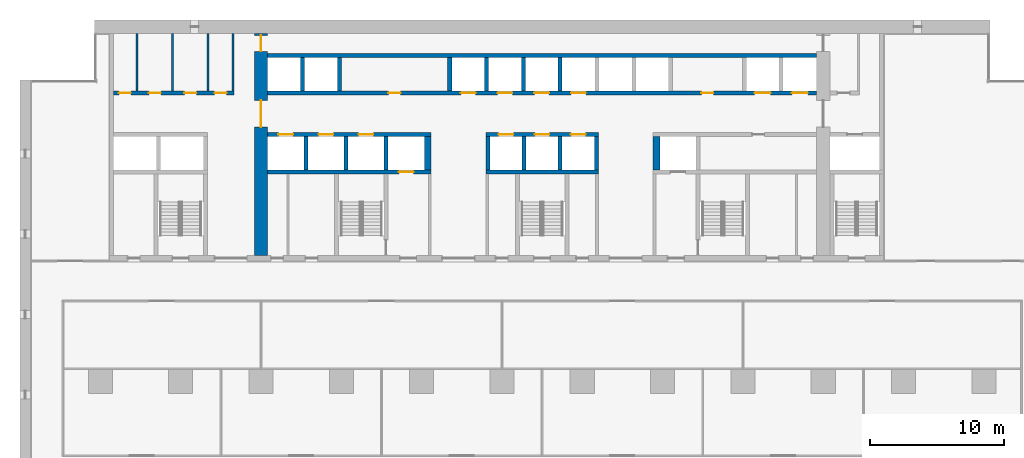
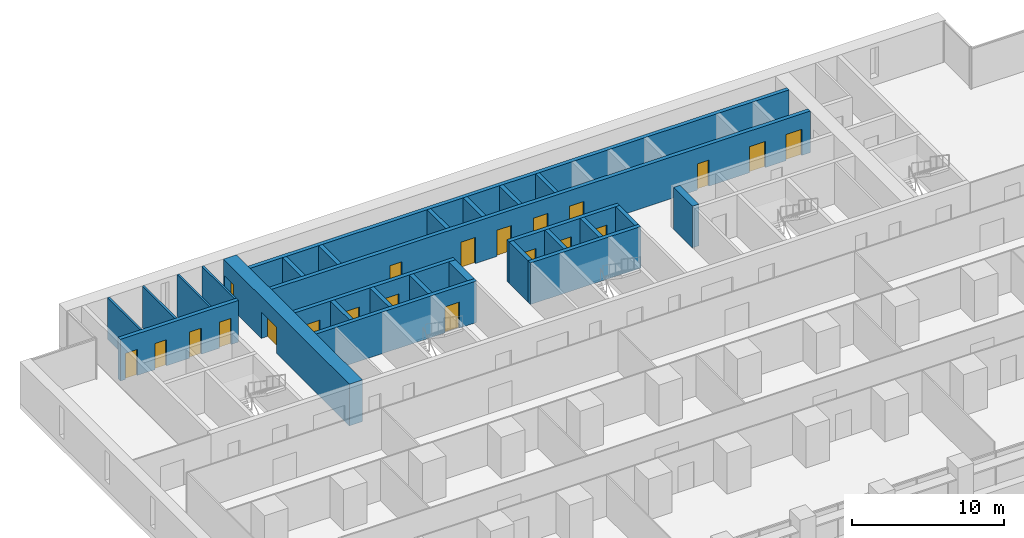
# One storey, part 11 of 18: 27 walls, 21 doors, 21 openings.
"""IFC4 building model written with IfcOpenShell, lengths in metres."""

from ifc_helpers import new_model, si_unit, direction, frame, frame_2d, origin, place, context, subcontext, project, spatial, rectangle, extrude, material, layer, layer_set, type_object, element, fill, save


model = new_model("IFC4")

# Units and contexts
model_context = context("Model", 3, precision=1e-05, world=origin(), true_north=direction((0.0, 1.0)))
body_context = subcontext(model_context, "Body", "Model", "MODEL_VIEW")
ifc_project = project(units=[si_unit("LENGTHUNIT", "METRE"), si_unit("AREAUNIT", "SQUARE_METRE"), si_unit("VOLUMEUNIT", "CUBIC_METRE"), si_unit("PLANEANGLEUNIT", "RADIAN"), si_unit("MASSUNIT", "GRAM", prefix="KILO")], contexts=[model_context])

# Site, building, storey
site_placement = place(None, origin())
site = spatial("IfcSite", under=ifc_project, at=site_placement, CompositionType="ELEMENT")
building_placement = place(site_placement, origin())
building = spatial("IfcBuilding", under=site, at=building_placement, Name="Calvaro Tower", CompositionType="ELEMENT")
storey_placement = place(building_placement, frame((0.0, 0.0, 30.0)))
storey = spatial("IfcBuildingStorey", under=building, at=storey_placement, Name="L06", CompositionType="ELEMENT", Elevation=30.0)

# Walls
ifc_material_1 = material(Name="Blockwork partition", Category="masonry")
ifc_layer_1 = layer(ifc_material_1, 0.14990234375)
ifc_layer_set_1 = layer_set([ifc_layer_1], Name="Blockwork partition")
wall_type_1 = type_object("IfcWallType", Name="Core partition 150 EI 60", PredefinedType="PARTITIONING", material=ifc_layer_set_1)
for number, where, z_axis, x_axis, name in (
    (1, (8.75, 40.699951171875, 0.0), (0.0, 0.0, 1.0), (0.0, 1.0, 0.0), "Core partition"),
    (2, (11.39990234375, 40.699951171875, 0.0), (0.0, 0.0, 1.0), (0.0, 1.0, 0.0), "Core partition"),
    (3, (14.050048828125, 40.699951171875, 0.0), (0.0, 0.0, 1.0), (0.0, 1.0, 0.0), "Core partition"),
):
    element("IfcWall", number, at=place(storey_placement, frame(where, z_axis=z_axis, x_axis=x_axis)), inside=storey, type_object=wall_type_1, Name=name, PredefinedType="PARTITIONING", context=body_context, shape_type="SweptSolid", body=[
        extrude(rectangle(XDim=4.300048828125, YDim=0.14990234375, at=frame_2d((2.14990234375, 0.0))), origin(), (0.0, 0.0, 1.0), 3.35009765625),
    ])
ifc_material_2 = material(Name="Blockwork partition", Category="masonry")
ifc_layer_2 = layer(ifc_material_2, 0.14990234375)
ifc_layer_set_2 = layer_set([ifc_layer_2], Name="Blockwork partition")
wall_type_2 = type_object("IfcWallType", Name="Core partition 150 REI 120", PredefinedType="PARTITIONING", material=ifc_layer_set_2)
wall_1_placement = place(storey_placement, frame((15.925048828125, 40.699951171875, 0.0), z_axis=(0.0, 0.0, 1.0), x_axis=(0.0, 1.0, 0.0)))
element("IfcWall", 4, at=wall_1_placement, inside=storey, type_object=wall_type_2, Name="Core partition", PredefinedType="PARTITIONING", context=body_context, shape_type="SweptSolid", body=[
    extrude(rectangle(XDim=4.300048828125, YDim=0.14990234375, at=frame_2d((2.14990234375, 0.0))), origin(), (0.0, 0.0, 1.0), 3.35009765625),
])

# Wall, openings, doors
ifc_material_3 = material(Name="Blockwork partition", Category="masonry")
ifc_layer_3 = layer(ifc_material_3, 0.300048828125)
ifc_layer_set_3 = layer_set([ifc_layer_3], Name="Blockwork partition")
wall_type_3 = type_object("IfcWallType", Name="Core partition 300 REI 120", PredefinedType="PARTITIONING", material=ifc_layer_set_3)
wall_2_placement = place(storey_placement, frame((7.0, 40.550048828125, 0.0), z_axis=(0.0, 0.0, 1.0), x_axis=(1.0, 0.0, 0.0)))
wall_2 = element("IfcWall", 5, at=wall_2_placement, inside=storey, type_object=wall_type_3, Name="Core partition", PredefinedType="PARTITIONING", context=body_context, shape_type="SweptSolid", body=[
    extrude(rectangle(XDim=9.0, YDim=0.300048828125, at=frame_2d((4.5, 0.0))), origin(), (0.0, 0.0, 1.0), 3.35009765625),
])
opening_1_placement = place(wall_2_placement, frame((0.387451171875, 0.0, 0.0)))
opening_1 = element("IfcOpeningElement", 6, at=opening_1_placement, cuts=wall_2, Name="Opening RD9C", PredefinedType="OPENING", context=body_context, shape_type="SweptSolid", body=[
    extrude(rectangle(XDim=0.89990234375, YDim=2.10009765625, at=frame_2d((0.449951171875, 1.050048828125))), frame((0.0, 0.159912109375, 0.0), z_axis=(0.0, -1.0, 0.0), x_axis=(1.0, 0.0, 0.0)), (0.0, 0.0, 1.0), 0.320068359375),
])
opening_2_placement = place(wall_2_placement, frame((2.625, 0.0, 0.0)))
opening_2 = element("IfcOpeningElement", 7, at=opening_2_placement, cuts=wall_2, Name="Opening RD9", PredefinedType="OPENING", context=body_context, shape_type="SweptSolid", body=[
    extrude(rectangle(XDim=0.89990234375, YDim=2.10009765625, at=frame_2d((0.449951171875, 1.050048828125))), frame((0.0, 0.159912109375, 0.0), z_axis=(0.0, -1.0, 0.0), x_axis=(1.0, 0.0, 0.0)), (0.0, 0.0, 1.0), 0.320068359375),
])
opening_3_placement = place(wall_2_placement, frame((5.27490234375, 0.0, 0.0)))
opening_3 = element("IfcOpeningElement", 8, at=opening_3_placement, cuts=wall_2, Name="Opening RD9", PredefinedType="OPENING", context=body_context, shape_type="SweptSolid", body=[
    extrude(rectangle(XDim=0.89990234375, YDim=2.10009765625, at=frame_2d((0.449951171875, 1.050048828125))), frame((0.0, 0.159912109375, 0.0), z_axis=(0.0, -1.0, 0.0), x_axis=(1.0, 0.0, 0.0)), (0.0, 0.0, 1.0), 0.320068359375),
])
opening_4_placement = place(wall_2_placement, frame((7.53759765625, 0.0, 0.0)))
opening_4 = element("IfcOpeningElement", 9, at=opening_4_placement, cuts=wall_2, Name="Opening RD9", PredefinedType="OPENING", context=body_context, shape_type="SweptSolid", body=[
    extrude(rectangle(XDim=0.89990234375, YDim=2.10009765625, at=frame_2d((0.449951171875, 1.050048828125))), frame((0.0, 0.159912109375, 0.0), z_axis=(0.0, -1.0, 0.0), x_axis=(1.0, 0.0, 0.0)), (0.0, 0.0, 1.0), 0.320068359375),
])
ifc_material_4 = material(Name="Steel door set", Category="steel")
door_type_1 = type_object("IfcDoorType", Name="Room door 900", OperationType="SINGLE_SWING_LEFT", PredefinedType="DOOR", material=ifc_material_4)
door_1_placement = place(opening_2_placement, origin())
door_1 = element("IfcDoor", 10, at=door_1_placement, inside=storey, type_object=door_type_1, Name="Room door", OperationType="SINGLE_SWING_LEFT", OverallHeight=2.10009765625, OverallWidth=0.89990234375, PredefinedType="DOOR", context=body_context, shape_type="SweptSolid", body=[
    extrude(rectangle(XDim=0.89990234375, YDim=2.10009765625, at=frame_2d((0.449951171875, 1.050048828125))), frame((0.0, 0.02490234375, 0.0), z_axis=(0.0, -1.0, 0.0), x_axis=(1.0, 0.0, 0.0)), (0.0, 0.0, 1.0), 0.050048828125),
])
fill(opening_2, door_1)
door_2_placement = place(opening_3_placement, origin())
door_2 = element("IfcDoor", 11, at=door_2_placement, inside=storey, type_object=door_type_1, Name="Room door", OperationType="SINGLE_SWING_LEFT", OverallHeight=2.10009765625, OverallWidth=0.89990234375, PredefinedType="DOOR", context=body_context, shape_type="SweptSolid", body=[
    extrude(rectangle(XDim=0.89990234375, YDim=2.10009765625, at=frame_2d((0.449951171875, 1.050048828125))), frame((0.0, 0.02490234375, 0.0), z_axis=(0.0, -1.0, 0.0), x_axis=(1.0, 0.0, 0.0)), (0.0, 0.0, 1.0), 0.050048828125),
])
fill(opening_3, door_2)
door_3_placement = place(opening_4_placement, origin())
door_3 = element("IfcDoor", 12, at=door_3_placement, inside=storey, type_object=door_type_1, Name="Room door", OperationType="SINGLE_SWING_RIGHT", OverallHeight=2.10009765625, OverallWidth=0.89990234375, PredefinedType="DOOR", context=body_context, shape_type="SweptSolid", body=[
    extrude(rectangle(XDim=0.89990234375, YDim=2.10009765625, at=frame_2d((0.449951171875, 1.050048828125))), frame((0.0, 0.02490234375, 0.0), z_axis=(0.0, -1.0, 0.0), x_axis=(1.0, 0.0, 0.0)), (0.0, 0.0, 1.0), 0.050048828125),
])
fill(opening_4, door_3)
ifc_material_5 = material(Name="Steel door set", Category="steel")
door_type_2 = type_object("IfcDoorType", Name="Room door 900 FD30", OperationType="SINGLE_SWING_LEFT", PredefinedType="DOOR", material=ifc_material_5)
door_4_placement = place(opening_1_placement, origin())
door_4 = element("IfcDoor", 13, at=door_4_placement, inside=storey, type_object=door_type_2, Name="Room door", OperationType="SINGLE_SWING_LEFT", OverallHeight=2.10009765625, OverallWidth=0.89990234375, PredefinedType="DOOR", context=body_context, shape_type="SweptSolid", body=[
    extrude(rectangle(XDim=0.89990234375, YDim=2.10009765625, at=frame_2d((0.449951171875, 1.050048828125))), frame((0.0, 0.02490234375, 0.0), z_axis=(0.0, -1.0, 0.0), x_axis=(1.0, 0.0, 0.0)), (0.0, 0.0, 1.0), 0.050048828125),
])
fill(opening_1, door_4)

ifc_material_6 = material(Name="Concrete C80/95", Category="concrete")
ifc_layer_4 = layer(ifc_material_6, 1.0)
ifc_layer_set_4 = layer_set([ifc_layer_4], Name="Concrete C80/95")
wall_type_4 = type_object("IfcWallType", Name="Core wall C80/95 1000", PredefinedType="SHEAR", material=ifc_layer_set_4)
wall_3_placement = place(storey_placement, frame((18.0, 28.39990234375, 0.0), z_axis=(0.0, 0.0, 1.0), x_axis=(0.0, 1.0, 0.0)))
wall_3 = element("IfcWall", 14, at=wall_3_placement, inside=storey, type_object=wall_type_4, Name="Core wall, cross shear wall", PredefinedType="SHEAR", context=body_context, shape_type="SweptSolid", body=[
    extrude(rectangle(XDim=16.60009765625, YDim=1.0, at=frame_2d((8.300048828125, 0.0))), origin(), (0.0, 0.0, 1.0), 3.35009765625),
])
opening_5_placement = place(wall_3_placement, frame((9.60009765625, 0.0, 0.0)))
opening_5 = element("IfcOpeningElement", 15, at=opening_5_placement, cuts=wall_3, Name="Opening DD20D", PredefinedType="OPENING", context=body_context, shape_type="SweptSolid", body=[
    extrude(rectangle(XDim=2.0, YDim=2.10009765625, at=frame_2d((1.0, 1.050048828125))), frame((0.0, 0.510009765625, 0.0), z_axis=(0.0, -1.0, 0.0), x_axis=(1.0, 0.0, 0.0)), (0.0, 0.0, 1.0), 1.02001953125),
])
opening_6_placement = place(wall_3_placement, frame((15.25, 0.0, 0.0)))
opening_6 = element("IfcOpeningElement", 16, at=opening_6_placement, cuts=wall_3, Name="Opening FD12C", PredefinedType="OPENING", context=body_context, shape_type="SweptSolid", body=[
    extrude(rectangle(XDim=1.199951171875, YDim=2.10009765625, at=frame_2d((0.60009765625, 1.050048828125))), frame((0.0, 0.510009765625, 0.0), z_axis=(0.0, -1.0, 0.0), x_axis=(1.0, 0.0, 0.0)), (0.0, 0.0, 1.0), 1.02001953125),
])
ifc_material_7 = material(Name="Steel door set", Category="steel")
door_type_3 = type_object("IfcDoorType", Name="Fire door 1200 FD30", OperationType="SINGLE_SWING_LEFT", PredefinedType="DOOR", material=ifc_material_7)
door_5_placement = place(opening_6_placement, origin())
door_5 = element("IfcDoor", 17, at=door_5_placement, inside=storey, type_object=door_type_3, Name="Fire door", OperationType="SINGLE_SWING_LEFT", OverallHeight=2.10009765625, OverallWidth=1.199951171875, PredefinedType="DOOR", context=body_context, shape_type="SweptSolid", body=[
    extrude(rectangle(XDim=1.199951171875, YDim=2.10009765625, at=frame_2d((0.60009765625, 1.050048828125))), frame((0.0, 0.02490234375, 0.0), z_axis=(0.0, -1.0, 0.0), x_axis=(1.0, 0.0, 0.0)), (0.0, 0.0, 1.0), 0.050048828125),
])
fill(opening_6, door_5)
ifc_material_8 = material(Name="Steel door set", Category="steel")
door_type_4 = type_object("IfcDoorType", Name="Lobby double door 2000 FD30S", OperationType="DOUBLE_DOOR_SINGLE_SWING", PredefinedType="DOOR", material=ifc_material_8)
door_6_placement = place(opening_5_placement, origin())
door_6 = element("IfcDoor", 18, at=door_6_placement, inside=storey, type_object=door_type_4, Name="Lobby double door", OperationType="DOUBLE_DOOR_SINGLE_SWING", OverallHeight=2.10009765625, OverallWidth=2.0, PredefinedType="DOOR", context=body_context, shape_type="SweptSolid", body=[
    extrude(rectangle(XDim=2.0, YDim=2.10009765625, at=frame_2d((1.0, 1.050048828125))), frame((0.0, 0.02490234375, 0.0), z_axis=(0.0, -1.0, 0.0), x_axis=(1.0, 0.0, 0.0)), (0.0, 0.0, 1.0), 0.050048828125),
])
fill(opening_5, door_6)

# Wall, opening, door
ifc_material_9 = material(Name="Concrete C80/95", Category="concrete")
ifc_layer_5 = layer(ifc_material_9, 0.300048828125)
ifc_layer_set_5 = layer_set([ifc_layer_5], Name="Concrete C80/95")
wall_type_5 = type_object("IfcWallType", Name="Core wall C80/95 300", PredefinedType="SHEAR", material=ifc_layer_set_5)
wall_4_placement = place(storey_placement, frame((18.5, 34.64990234375, 0.0), z_axis=(0.0, 0.0, 1.0), x_axis=(1.0, 0.0, 0.0)))
wall_4 = element("IfcWall", 19, at=wall_4_placement, inside=storey, type_object=wall_type_5, Name="Core wall, lift shaft", PredefinedType="SHEAR", context=body_context, shape_type="SweptSolid", body=[
    extrude(rectangle(XDim=12.199951171875, YDim=0.300048828125, at=frame_2d((6.10009765625, 0.0))), origin(), (0.0, 0.0, 1.0), 3.35009765625),
])
opening_7_placement = place(wall_4_placement, frame((9.800048828125, 0.0, 0.0)))
opening_7 = element("IfcOpeningElement", 20, at=opening_7_placement, cuts=wall_4, Name="Opening FF1", PredefinedType="OPENING", context=body_context, shape_type="SweptSolid", body=[
    extrude(rectangle(XDim=1.10009765625, YDim=2.10009765625, at=frame_2d((0.550048828125, 1.050048828125))), frame((0.0, 0.159912109375, 0.0), z_axis=(0.0, -1.0, 0.0), x_axis=(1.0, 0.0, 0.0)), (0.0, 0.0, 1.0), 0.320068359375),
])
ifc_material_10 = material(Name="Stainless steel", Category="steel")
door_type_5 = type_object("IfcDoorType", Name="Landing door 1100 E 60", OperationType="SLIDING_TO_LEFT", PredefinedType="DOOR", material=ifc_material_10)
door_7_placement = place(opening_7_placement, origin())
door_7 = element("IfcDoor", 21, at=door_7_placement, inside=storey, type_object=door_type_5, Name="Landing door FF1", OperationType="SLIDING_TO_LEFT", OverallHeight=2.10009765625, OverallWidth=1.10009765625, PredefinedType="DOOR", context=body_context, shape_type="SweptSolid", body=[
    extrude(rectangle(XDim=1.10009765625, YDim=2.10009765625, at=frame_2d((0.550048828125, 1.050048828125))), frame((0.0, 0.02490234375, 0.0), z_axis=(0.0, -1.0, 0.0), x_axis=(1.0, 0.0, 0.0)), (0.0, 0.0, 1.0), 0.050048828125),
])
fill(opening_7, door_7)

# Wall
wall_5_placement = place(storey_placement, frame((34.800048828125, 34.64990234375, 0.0), z_axis=(0.0, 0.0, 1.0), x_axis=(1.0, 0.0, 0.0)))
element("IfcWall", 22, at=wall_5_placement, inside=storey, type_object=wall_type_5, Name="Core wall, lift shaft", PredefinedType="SHEAR", context=body_context, shape_type="SweptSolid", body=[
    extrude(rectangle(XDim=8.39990234375, YDim=0.300048828125, at=frame_2d((4.199951171875, 0.0))), origin(), (0.0, 0.0, 1.0), 3.35009765625),
])

# Wall, openings, doors
wall_6_placement = place(storey_placement, frame((18.5, 37.449951171875, 0.0), z_axis=(0.0, 0.0, 1.0), x_axis=(1.0, 0.0, 0.0)))
wall_6 = element("IfcWall", 23, at=wall_6_placement, inside=storey, type_object=wall_type_5, Name="Core wall, lift shaft", PredefinedType="SHEAR", context=body_context, shape_type="SweptSolid", body=[
    extrude(rectangle(XDim=12.199951171875, YDim=0.300048828125, at=frame_2d((6.10009765625, 0.0))), origin(), (0.0, 0.0, 1.0), 3.35009765625),
])
opening_8_placement = place(wall_6_placement, frame((0.800048828125, 0.0, 0.0)))
opening_8 = element("IfcOpeningElement", 24, at=opening_8_placement, cuts=wall_6, Name="Opening LR1", PredefinedType="OPENING", context=body_context, shape_type="SweptSolid", body=[
    extrude(rectangle(XDim=1.10009765625, YDim=2.10009765625, at=frame_2d((0.550048828125, 1.050048828125))), frame((0.0, 0.159912109375, 0.0), z_axis=(0.0, -1.0, 0.0), x_axis=(1.0, 0.0, 0.0)), (0.0, 0.0, 1.0), 0.320068359375),
])
opening_9_placement = place(wall_6_placement, frame((3.800048828125, 0.0, 0.0)))
opening_9 = element("IfcOpeningElement", 25, at=opening_9_placement, cuts=wall_6, Name="Opening LR2", PredefinedType="OPENING", context=body_context, shape_type="SweptSolid", body=[
    extrude(rectangle(XDim=1.10009765625, YDim=2.10009765625, at=frame_2d((0.550048828125, 1.050048828125))), frame((0.0, 0.159912109375, 0.0), z_axis=(0.0, -1.0, 0.0), x_axis=(1.0, 0.0, 0.0)), (0.0, 0.0, 1.0), 0.320068359375),
])
opening_10_placement = place(wall_6_placement, frame((6.800048828125, 0.0, 0.0)))
opening_10 = element("IfcOpeningElement", 26, at=opening_10_placement, cuts=wall_6, Name="Opening LR3", PredefinedType="OPENING", context=body_context, shape_type="SweptSolid", body=[
    extrude(rectangle(XDim=1.10009765625, YDim=2.10009765625, at=frame_2d((0.550048828125, 1.050048828125))), frame((0.0, 0.159912109375, 0.0), z_axis=(0.0, -1.0, 0.0), x_axis=(1.0, 0.0, 0.0)), (0.0, 0.0, 1.0), 0.320068359375),
])
door_8_placement = place(opening_8_placement, origin())
door_8 = element("IfcDoor", 27, at=door_8_placement, inside=storey, type_object=door_type_5, Name="Landing door LR1", OperationType="SLIDING_TO_LEFT", OverallHeight=2.10009765625, OverallWidth=1.10009765625, PredefinedType="DOOR", context=body_context, shape_type="SweptSolid", body=[
    extrude(rectangle(XDim=1.10009765625, YDim=2.10009765625, at=frame_2d((0.550048828125, 1.050048828125))), frame((0.0, 0.02490234375, 0.0), z_axis=(0.0, -1.0, 0.0), x_axis=(1.0, 0.0, 0.0)), (0.0, 0.0, 1.0), 0.050048828125),
])
fill(opening_8, door_8)
door_9_placement = place(opening_9_placement, origin())
door_9 = element("IfcDoor", 28, at=door_9_placement, inside=storey, type_object=door_type_5, Name="Landing door LR2", OperationType="SLIDING_TO_LEFT", OverallHeight=2.10009765625, OverallWidth=1.10009765625, PredefinedType="DOOR", context=body_context, shape_type="SweptSolid", body=[
    extrude(rectangle(XDim=1.10009765625, YDim=2.10009765625, at=frame_2d((0.550048828125, 1.050048828125))), frame((0.0, 0.02490234375, 0.0), z_axis=(0.0, -1.0, 0.0), x_axis=(1.0, 0.0, 0.0)), (0.0, 0.0, 1.0), 0.050048828125),
])
fill(opening_9, door_9)
door_10_placement = place(opening_10_placement, origin())
door_10 = element("IfcDoor", 29, at=door_10_placement, inside=storey, type_object=door_type_5, Name="Landing door LR3", OperationType="SLIDING_TO_LEFT", OverallHeight=2.10009765625, OverallWidth=1.10009765625, PredefinedType="DOOR", context=body_context, shape_type="SweptSolid", body=[
    extrude(rectangle(XDim=1.10009765625, YDim=2.10009765625, at=frame_2d((0.550048828125, 1.050048828125))), frame((0.0, 0.02490234375, 0.0), z_axis=(0.0, -1.0, 0.0), x_axis=(1.0, 0.0, 0.0)), (0.0, 0.0, 1.0), 0.050048828125),
])
fill(opening_10, door_10)

wall_7_placement = place(storey_placement, frame((34.800048828125, 37.449951171875, 0.0), z_axis=(0.0, 0.0, 1.0), x_axis=(1.0, 0.0, 0.0)))
wall_7 = element("IfcWall", 30, at=wall_7_placement, inside=storey, type_object=wall_type_5, Name="Core wall, lift shaft", PredefinedType="SHEAR", context=body_context, shape_type="SweptSolid", body=[
    extrude(rectangle(XDim=8.39990234375, YDim=0.300048828125, at=frame_2d((4.199951171875, 0.0))), origin(), (0.0, 0.0, 1.0), 3.35009765625),
])
opening_11_placement = place(wall_7_placement, frame((0.949951171875, 0.0, 0.0)))
opening_11 = element("IfcOpeningElement", 31, at=opening_11_placement, cuts=wall_7, Name="Opening LR4", PredefinedType="OPENING", context=body_context, shape_type="SweptSolid", body=[
    extrude(rectangle(XDim=1.10009765625, YDim=2.10009765625, at=frame_2d((0.550048828125, 1.050048828125))), frame((0.0, 0.159912109375, 0.0), z_axis=(0.0, -1.0, 0.0), x_axis=(1.0, 0.0, 0.0)), (0.0, 0.0, 1.0), 0.320068359375),
])
opening_12_placement = place(wall_7_placement, frame((3.64990234375, 0.0, 0.0)))
opening_12 = element("IfcOpeningElement", 32, at=opening_12_placement, cuts=wall_7, Name="Opening LR5", PredefinedType="OPENING", context=body_context, shape_type="SweptSolid", body=[
    extrude(rectangle(XDim=1.10009765625, YDim=2.10009765625, at=frame_2d((0.550048828125, 1.050048828125))), frame((0.0, 0.159912109375, 0.0), z_axis=(0.0, -1.0, 0.0), x_axis=(1.0, 0.0, 0.0)), (0.0, 0.0, 1.0), 0.320068359375),
])
opening_13_placement = place(wall_7_placement, frame((6.35009765625, 0.0, 0.0)))
opening_13 = element("IfcOpeningElement", 33, at=opening_13_placement, cuts=wall_7, Name="Opening LR6", PredefinedType="OPENING", context=body_context, shape_type="SweptSolid", body=[
    extrude(rectangle(XDim=1.10009765625, YDim=2.10009765625, at=frame_2d((0.550048828125, 1.050048828125))), frame((0.0, 0.159912109375, 0.0), z_axis=(0.0, -1.0, 0.0), x_axis=(1.0, 0.0, 0.0)), (0.0, 0.0, 1.0), 0.320068359375),
])
door_11_placement = place(opening_11_placement, origin())
door_11 = element("IfcDoor", 34, at=door_11_placement, inside=storey, type_object=door_type_5, Name="Landing door LR4", OperationType="SLIDING_TO_LEFT", OverallHeight=2.10009765625, OverallWidth=1.10009765625, PredefinedType="DOOR", context=body_context, shape_type="SweptSolid", body=[
    extrude(rectangle(XDim=1.10009765625, YDim=2.10009765625, at=frame_2d((0.550048828125, 1.050048828125))), frame((0.0, 0.02490234375, 0.0), z_axis=(0.0, -1.0, 0.0), x_axis=(1.0, 0.0, 0.0)), (0.0, 0.0, 1.0), 0.050048828125),
])
fill(opening_11, door_11)
door_12_placement = place(opening_12_placement, origin())
door_12 = element("IfcDoor", 35, at=door_12_placement, inside=storey, type_object=door_type_5, Name="Landing door LR5", OperationType="SLIDING_TO_LEFT", OverallHeight=2.10009765625, OverallWidth=1.10009765625, PredefinedType="DOOR", context=body_context, shape_type="SweptSolid", body=[
    extrude(rectangle(XDim=1.10009765625, YDim=2.10009765625, at=frame_2d((0.550048828125, 1.050048828125))), frame((0.0, 0.02490234375, 0.0), z_axis=(0.0, -1.0, 0.0), x_axis=(1.0, 0.0, 0.0)), (0.0, 0.0, 1.0), 0.050048828125),
])
fill(opening_12, door_12)
door_13_placement = place(opening_13_placement, origin())
door_13 = element("IfcDoor", 36, at=door_13_placement, inside=storey, type_object=door_type_5, Name="Landing door LR6", OperationType="SLIDING_TO_LEFT", OverallHeight=2.10009765625, OverallWidth=1.10009765625, PredefinedType="DOOR", context=body_context, shape_type="SweptSolid", body=[
    extrude(rectangle(XDim=1.10009765625, YDim=2.10009765625, at=frame_2d((0.550048828125, 1.050048828125))), frame((0.0, 0.02490234375, 0.0), z_axis=(0.0, -1.0, 0.0), x_axis=(1.0, 0.0, 0.0)), (0.0, 0.0, 1.0), 0.050048828125),
])
fill(opening_13, door_13)

# Walls
for number, where, z_axis, x_axis, name in (
    (37, (27.35009765625, 34.800048828125, 0.0), (0.0, 0.0, 1.0), (0.0, 1.0, 0.0), "Core wall, lift shaft"),
    (38, (34.949951171875, 34.800048828125, 0.0), (0.0, 0.0, 1.0), (0.0, 1.0, 0.0), "Core wall, lift shaft"),
    (39, (43.050048828125, 34.800048828125, 0.0), (0.0, 0.0, 1.0), (0.0, 1.0, 0.0), "Core wall, lift shaft"),
):
    element("IfcWall", number, at=place(storey_placement, frame(where, z_axis=z_axis, x_axis=x_axis)), inside=storey, type_object=wall_type_5, Name=name, PredefinedType="SHEAR", context=body_context, shape_type="SweptSolid", body=[
        extrude(rectangle(XDim=2.5, YDim=0.300048828125, at=frame_2d((1.25, 0.0))), origin(), (0.0, 0.0, 1.0), 3.35009765625),
    ])

# Wall, openings, doors
wall_8_placement = place(storey_placement, frame((18.5, 40.550048828125, 0.0), z_axis=(0.0, 0.0, 1.0), x_axis=(1.0, 0.0, 0.0)))
wall_8 = element("IfcWall", 40, at=wall_8_placement, inside=storey, type_object=wall_type_5, Name="Core wall, bay", PredefinedType="SHEAR", context=body_context, shape_type="SweptSolid", body=[
    extrude(rectangle(XDim=41.0, YDim=0.300048828125, at=frame_2d((20.5, 0.0))), origin(), (0.0, 0.0, 1.0), 3.35009765625),
])
opening_14_placement = place(wall_8_placement, frame((9.02490234375, 0.0, 0.0)))
opening_14 = element("IfcOpeningElement", 41, at=opening_14_placement, cuts=wall_8, Name="Opening RD9E", PredefinedType="OPENING", context=body_context, shape_type="SweptSolid", body=[
    extrude(rectangle(XDim=0.89990234375, YDim=2.10009765625, at=frame_2d((0.449951171875, 1.050048828125))), frame((0.0, 0.159912109375, 0.0), z_axis=(0.0, -1.0, 0.0), x_axis=(1.0, 0.0, 0.0)), (0.0, 0.0, 1.0), 0.320068359375),
])
opening_15_placement = place(wall_8_placement, frame((32.39990234375, 0.0, 0.0)))
opening_15 = element("IfcOpeningElement", 42, at=opening_15_placement, cuts=wall_8, Name="Opening RD9E", PredefinedType="OPENING", context=body_context, shape_type="SweptSolid", body=[
    extrude(rectangle(XDim=0.89990234375, YDim=2.10009765625, at=frame_2d((0.449951171875, 1.050048828125))), frame((0.0, 0.159912109375, 0.0), z_axis=(0.0, -1.0, 0.0), x_axis=(1.0, 0.0, 0.0)), (0.0, 0.0, 1.0), 0.320068359375),
])
opening_16_placement = place(wall_8_placement, frame((14.425048828125, 0.0, 0.0)))
opening_16 = element("IfcOpeningElement", 43, at=opening_16_placement, cuts=wall_8, Name="Opening LR7", PredefinedType="OPENING", context=body_context, shape_type="SweptSolid", body=[
    extrude(rectangle(XDim=1.10009765625, YDim=2.10009765625, at=frame_2d((0.550048828125, 1.050048828125))), frame((0.0, 0.159912109375, 0.0), z_axis=(0.0, -1.0, 0.0), x_axis=(1.0, 0.0, 0.0)), (0.0, 0.0, 1.0), 0.320068359375),
])
opening_17_placement = place(wall_8_placement, frame((17.175048828125, 0.0, 0.0)))
opening_17 = element("IfcOpeningElement", 44, at=opening_17_placement, cuts=wall_8, Name="Opening LR8", PredefinedType="OPENING", context=body_context, shape_type="SweptSolid", body=[
    extrude(rectangle(XDim=1.10009765625, YDim=2.10009765625, at=frame_2d((0.550048828125, 1.050048828125))), frame((0.0, 0.159912109375, 0.0), z_axis=(0.0, -1.0, 0.0), x_axis=(1.0, 0.0, 0.0)), (0.0, 0.0, 1.0), 0.320068359375),
])
opening_18_placement = place(wall_8_placement, frame((19.925048828125, 0.0, 0.0)))
opening_18 = element("IfcOpeningElement", 45, at=opening_18_placement, cuts=wall_8, Name="Opening LR9", PredefinedType="OPENING", context=body_context, shape_type="SweptSolid", body=[
    extrude(rectangle(XDim=1.10009765625, YDim=2.10009765625, at=frame_2d((0.550048828125, 1.050048828125))), frame((0.0, 0.159912109375, 0.0), z_axis=(0.0, -1.0, 0.0), x_axis=(1.0, 0.0, 0.0)), (0.0, 0.0, 1.0), 0.320068359375),
])
opening_19_placement = place(wall_8_placement, frame((22.675048828125, 0.0, 0.0)))
opening_19 = element("IfcOpeningElement", 46, at=opening_19_placement, cuts=wall_8, Name="Opening LR10", PredefinedType="OPENING", context=body_context, shape_type="SweptSolid", body=[
    extrude(rectangle(XDim=1.10009765625, YDim=2.10009765625, at=frame_2d((0.550048828125, 1.050048828125))), frame((0.0, 0.159912109375, 0.0), z_axis=(0.0, -1.0, 0.0), x_axis=(1.0, 0.0, 0.0)), (0.0, 0.0, 1.0), 0.320068359375),
])
opening_20_placement = place(wall_8_placement, frame((36.375, 0.0, 0.0)))
opening_20 = element("IfcOpeningElement", 47, at=opening_20_placement, cuts=wall_8, Name="Opening SV1", PredefinedType="OPENING", context=body_context, shape_type="SweptSolid", body=[
    extrude(rectangle(XDim=1.199951171875, YDim=2.10009765625, at=frame_2d((0.60009765625, 1.050048828125))), frame((0.0, 0.159912109375, 0.0), z_axis=(0.0, -1.0, 0.0), x_axis=(1.0, 0.0, 0.0)), (0.0, 0.0, 1.0), 0.320068359375),
])
opening_21_placement = place(wall_8_placement, frame((39.14990234375, 0.0, 0.0)))
opening_21 = element("IfcOpeningElement", 48, at=opening_21_placement, cuts=wall_8, Name="Opening SV2", PredefinedType="OPENING", context=body_context, shape_type="SweptSolid", body=[
    extrude(rectangle(XDim=1.199951171875, YDim=2.10009765625, at=frame_2d((0.60009765625, 1.050048828125))), frame((0.0, 0.159912109375, 0.0), z_axis=(0.0, -1.0, 0.0), x_axis=(1.0, 0.0, 0.0)), (0.0, 0.0, 1.0), 0.320068359375),
])
door_14_placement = place(opening_16_placement, origin())
door_14 = element("IfcDoor", 49, at=door_14_placement, inside=storey, type_object=door_type_5, Name="Landing door LR7", OperationType="SLIDING_TO_LEFT", OverallHeight=2.10009765625, OverallWidth=1.10009765625, PredefinedType="DOOR", context=body_context, shape_type="SweptSolid", body=[
    extrude(rectangle(XDim=1.10009765625, YDim=2.10009765625, at=frame_2d((0.550048828125, 1.050048828125))), frame((0.0, 0.02490234375, 0.0), z_axis=(0.0, -1.0, 0.0), x_axis=(1.0, 0.0, 0.0)), (0.0, 0.0, 1.0), 0.050048828125),
])
fill(opening_16, door_14)
door_15_placement = place(opening_17_placement, origin())
door_15 = element("IfcDoor", 50, at=door_15_placement, inside=storey, type_object=door_type_5, Name="Landing door LR8", OperationType="SLIDING_TO_LEFT", OverallHeight=2.10009765625, OverallWidth=1.10009765625, PredefinedType="DOOR", context=body_context, shape_type="SweptSolid", body=[
    extrude(rectangle(XDim=1.10009765625, YDim=2.10009765625, at=frame_2d((0.550048828125, 1.050048828125))), frame((0.0, 0.02490234375, 0.0), z_axis=(0.0, -1.0, 0.0), x_axis=(1.0, 0.0, 0.0)), (0.0, 0.0, 1.0), 0.050048828125),
])
fill(opening_17, door_15)
door_16_placement = place(opening_18_placement, origin())
door_16 = element("IfcDoor", 51, at=door_16_placement, inside=storey, type_object=door_type_5, Name="Landing door LR9", OperationType="SLIDING_TO_LEFT", OverallHeight=2.10009765625, OverallWidth=1.10009765625, PredefinedType="DOOR", context=body_context, shape_type="SweptSolid", body=[
    extrude(rectangle(XDim=1.10009765625, YDim=2.10009765625, at=frame_2d((0.550048828125, 1.050048828125))), frame((0.0, 0.02490234375, 0.0), z_axis=(0.0, -1.0, 0.0), x_axis=(1.0, 0.0, 0.0)), (0.0, 0.0, 1.0), 0.050048828125),
])
fill(opening_18, door_16)
door_17_placement = place(opening_19_placement, origin())
door_17 = element("IfcDoor", 52, at=door_17_placement, inside=storey, type_object=door_type_5, Name="Landing door LR10", OperationType="SLIDING_TO_LEFT", OverallHeight=2.10009765625, OverallWidth=1.10009765625, PredefinedType="DOOR", context=body_context, shape_type="SweptSolid", body=[
    extrude(rectangle(XDim=1.10009765625, YDim=2.10009765625, at=frame_2d((0.550048828125, 1.050048828125))), frame((0.0, 0.02490234375, 0.0), z_axis=(0.0, -1.0, 0.0), x_axis=(1.0, 0.0, 0.0)), (0.0, 0.0, 1.0), 0.050048828125),
])
fill(opening_19, door_17)
ifc_material_11 = material(Name="Stainless steel", Category="steel")
door_type_6 = type_object("IfcDoorType", Name="Landing door 1200 E 60", OperationType="SLIDING_TO_LEFT", PredefinedType="DOOR", material=ifc_material_11)
door_18_placement = place(opening_20_placement, origin())
door_18 = element("IfcDoor", 53, at=door_18_placement, inside=storey, type_object=door_type_6, Name="Landing door SV1", OperationType="SLIDING_TO_LEFT", OverallHeight=2.10009765625, OverallWidth=1.199951171875, PredefinedType="DOOR", context=body_context, shape_type="SweptSolid", body=[
    extrude(rectangle(XDim=1.199951171875, YDim=2.10009765625, at=frame_2d((0.60009765625, 1.050048828125))), frame((0.0, 0.02490234375, 0.0), z_axis=(0.0, -1.0, 0.0), x_axis=(1.0, 0.0, 0.0)), (0.0, 0.0, 1.0), 0.050048828125),
])
fill(opening_20, door_18)
door_19_placement = place(opening_21_placement, origin())
door_19 = element("IfcDoor", 54, at=door_19_placement, inside=storey, type_object=door_type_6, Name="Landing door SV2", OperationType="SLIDING_TO_LEFT", OverallHeight=2.10009765625, OverallWidth=1.199951171875, PredefinedType="DOOR", context=body_context, shape_type="SweptSolid", body=[
    extrude(rectangle(XDim=1.199951171875, YDim=2.10009765625, at=frame_2d((0.60009765625, 1.050048828125))), frame((0.0, 0.02490234375, 0.0), z_axis=(0.0, -1.0, 0.0), x_axis=(1.0, 0.0, 0.0)), (0.0, 0.0, 1.0), 0.050048828125),
])
fill(opening_21, door_19)
ifc_material_12 = material(Name="Steel door set", Category="steel")
door_type_7 = type_object("IfcDoorType", Name="Room door 900 FD60", OperationType="SINGLE_SWING_LEFT", PredefinedType="DOOR", material=ifc_material_12)
door_20_placement = place(opening_14_placement, origin())
door_20 = element("IfcDoor", 55, at=door_20_placement, inside=storey, type_object=door_type_7, Name="Room door", OperationType="SINGLE_SWING_RIGHT", OverallHeight=2.10009765625, OverallWidth=0.89990234375, PredefinedType="DOOR", context=body_context, shape_type="SweptSolid", body=[
    extrude(rectangle(XDim=0.89990234375, YDim=2.10009765625, at=frame_2d((0.449951171875, 1.050048828125))), frame((0.0, 0.02490234375, 0.0), z_axis=(0.0, -1.0, 0.0), x_axis=(1.0, 0.0, 0.0)), (0.0, 0.0, 1.0), 0.050048828125),
])
fill(opening_14, door_20)
door_21_placement = place(opening_15_placement, origin())
door_21 = element("IfcDoor", 56, at=door_21_placement, inside=storey, type_object=door_type_7, Name="Room door", OperationType="SINGLE_SWING_LEFT", OverallHeight=2.10009765625, OverallWidth=0.89990234375, PredefinedType="DOOR", context=body_context, shape_type="SweptSolid", body=[
    extrude(rectangle(XDim=0.89990234375, YDim=2.10009765625, at=frame_2d((0.449951171875, 1.050048828125))), frame((0.0, 0.02490234375, 0.0), z_axis=(0.0, -1.0, 0.0), x_axis=(1.0, 0.0, 0.0)), (0.0, 0.0, 1.0), 0.050048828125),
])
fill(opening_15, door_21)

# Walls
wall_9_placement = place(storey_placement, frame((18.5, 43.35009765625, 0.0), z_axis=(0.0, 0.0, 1.0), x_axis=(1.0, 0.0, 0.0)))
element("IfcWall", 57, at=wall_9_placement, inside=storey, type_object=wall_type_5, Name="Core wall, lift shaft", PredefinedType="SHEAR", context=body_context, shape_type="SweptSolid", body=[
    extrude(rectangle(XDim=41.0, YDim=0.300048828125, at=frame_2d((20.5, 0.0))), origin(), (0.0, 0.0, 1.0), 3.35009765625),
])
for number, where, z_axis, x_axis, name in (
    (58, (21.35009765625, 34.800048828125, 0.0), (0.0, 0.0, 1.0), (0.0, 1.0, 0.0), "Core wall, lift shaft"),
    (59, (24.35009765625, 34.800048828125, 0.0), (0.0, 0.0, 1.0), (0.0, 1.0, 0.0), "Core wall, lift shaft"),
    (60, (37.64990234375, 34.800048828125, 0.0), (0.0, 0.0, 1.0), (0.0, 1.0, 0.0), "Core wall, lift shaft"),
    (61, (40.35009765625, 34.800048828125, 0.0), (0.0, 0.0, 1.0), (0.0, 1.0, 0.0), "Core wall, lift shaft"),
    (62, (21.10009765625, 40.699951171875, 0.0), (0.0, 0.0, 1.0), (0.0, 1.0, 0.0), "Core wall, lift shaft"),
    (63, (23.85009765625, 40.699951171875, 0.0), (0.0, 0.0, 1.0), (0.0, 1.0, 0.0), "Core wall, lift shaft"),
    (64, (32.10009765625, 40.699951171875, 0.0), (0.0, 0.0, 1.0), (0.0, 1.0, 0.0), "Core wall, lift shaft"),
    (65, (34.85009765625, 40.699951171875, 0.0), (0.0, 0.0, 1.0), (0.0, 1.0, 0.0), "Core wall, lift shaft"),
    (66, (37.60009765625, 40.699951171875, 0.0), (0.0, 0.0, 1.0), (0.0, 1.0, 0.0), "Core wall, lift shaft"),
    (67, (40.35009765625, 40.699951171875, 0.0), (0.0, 0.0, 1.0), (0.0, 1.0, 0.0), "Core wall, lift shaft"),
):
    element("IfcWall", number, at=place(storey_placement, frame(where, z_axis=z_axis, x_axis=x_axis)), inside=storey, type_object=wall_type_5, Name=name, PredefinedType="SHEAR", context=body_context, shape_type="SweptSolid", body=[
        extrude(rectangle(XDim=2.5, YDim=0.300048828125, at=frame_2d((1.25, 0.0))), origin(), (0.0, 0.0, 1.0), 3.35009765625),
    ])
ifc_material_13 = material(Name="Concrete C80/95", Category="concrete")
ifc_layer_6 = layer(ifc_material_13, 0.5)
ifc_layer_set_6 = layer_set([ifc_layer_6], Name="Concrete C80/95")
wall_type_6 = type_object("IfcWallType", Name="Core wall C80/95 500", PredefinedType="SHEAR", material=ifc_layer_set_6)
for number, where, z_axis, x_axis, name in (
    (68, (30.449951171875, 34.800048828125, 0.0), (0.0, 0.0, 1.0), (0.0, 1.0, 0.0), "Core wall, lift shaft"),
    (69, (47.550048828125, 34.800048828125, 0.0), (0.0, 0.0, 1.0), (0.0, 1.0, 0.0), "Core wall, lift shaft"),
):
    element("IfcWall", number, at=place(storey_placement, frame(where, z_axis=z_axis, x_axis=x_axis)), inside=storey, type_object=wall_type_6, Name=name, PredefinedType="SHEAR", context=body_context, shape_type="SweptSolid", body=[
        extrude(rectangle(XDim=2.5, YDim=0.5, at=frame_2d((1.25, 0.0))), origin(), (0.0, 0.0, 1.0), 3.35009765625),
    ])

save(model, "model.ifc")
